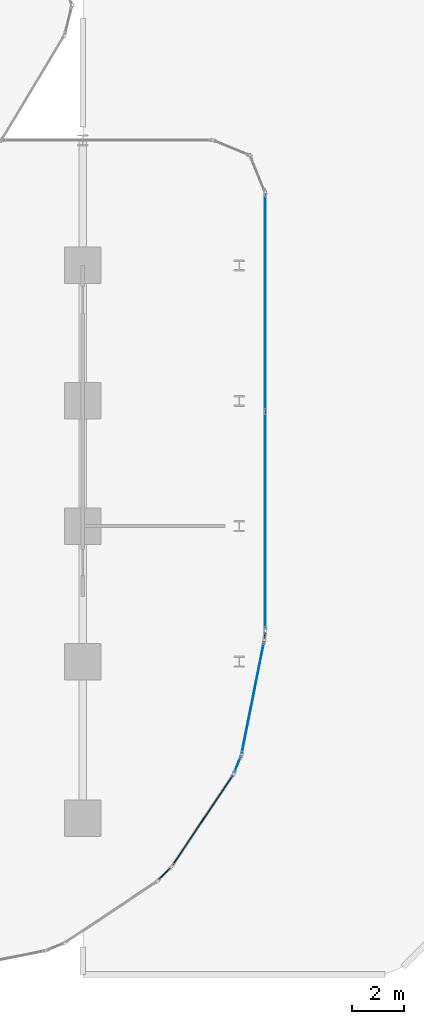
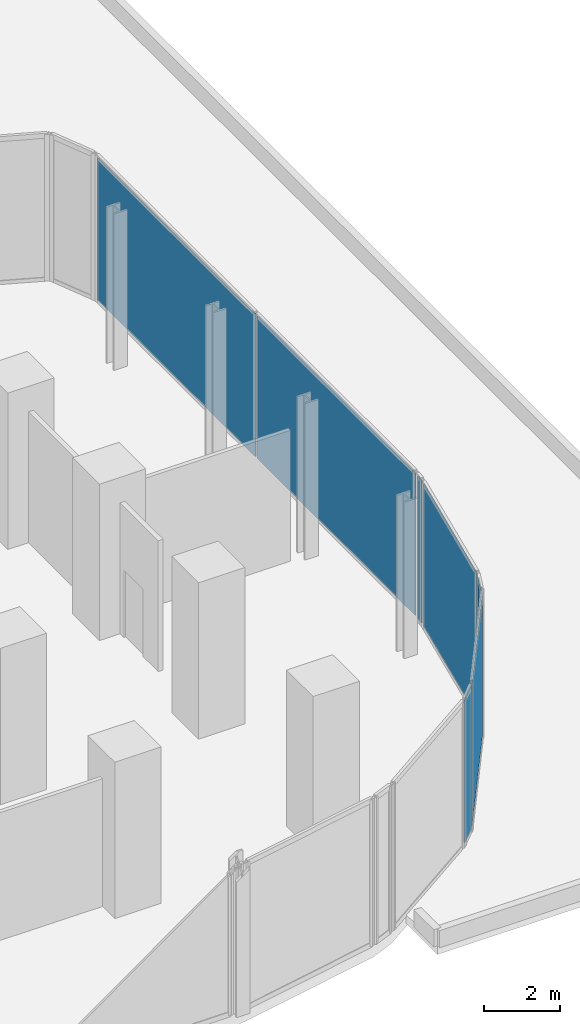
# One storey, part 22 of 29: 7 plates, 6 elements without a shape of their own.
"""IFC4 building model written with IfcOpenShell, lengths in metres."""

import ifcopenshell
import ifcopenshell.guid

model = None  # the IFC model being written
_history = None  # IfcOwnerHistory: only IFC2X3 demands one
_inside = {}  # id of a spatial element -> (the spatial element, [elements in it])
_under = {}  # id of a project, library or spatial element -> (it, [spatial elements below it])
_declared = {}  # id of a project -> (the project, [libraries it declares])
_typed = {}  # id of a type object -> (the type object, [elements of that type])
_made_of = {}  # id of a material, layer set ... -> (it, [elements and type objects made of it])


def new_model(schema):
    """Start an empty IFC model of exactly this schema.

    Asked for "IFC4X3", IfcOpenShell would pick the latest addendum, in which some entities
    have other attributes; the version numbers below select the first issue.
    IFC2X3 requires an IfcOwnerHistory on every rooted entity: one is made here for all.
    """
    global model, _history
    if schema == "IFC4X3":
        model = ifcopenshell.file(schema_version=(4, 3, 0, 0))
    else:
        model = ifcopenshell.file(schema=schema)
    _inside.clear()
    _under.clear()
    _declared.clear()
    _typed.clear()
    _made_of.clear()
    _history = None
    if model.schema == "IFC2X3":
        org = make("IfcOrganization", Name="unknown")
        user = make(
            "IfcPersonAndOrganization",
            ThePerson=make("IfcPerson", FamilyName="unknown"),
            TheOrganization=org,
        )
        app = make(
            "IfcApplication",
            ApplicationDeveloper=org,
            Version="unknown",
            ApplicationFullName="unknown",
            ApplicationIdentifier="unknown",
        )
        _history = make(
            "IfcOwnerHistory",
            OwningUser=user,
            OwningApplication=app,
            ChangeAction="ADDED",
            CreationDate=0,
        )
    return model


def make(cls, **values):
    """One entity of the class cls with the attributes given. An attribute that is None is left unset."""
    return model.create_entity(
        cls, **{name: value for name, value in values.items() if value is not None}
    )


def rooted(cls, **values):
    """An entity with a GlobalId (a new one), such as an element, a storey or a relation."""
    return make(cls, GlobalId=ifcopenshell.guid.new(), OwnerHistory=_history, **values)


def si_unit(unit_type, name, prefix=None):
    """IfcSIUnit, for example si_unit("LENGTHUNIT", "METRE", prefix="MILLI")."""
    return make("IfcSIUnit", UnitType=unit_type, Prefix=prefix, Name=name)


def assignment(units):
    """IfcUnitAssignment: the units of a project."""
    return None if units is None else make("IfcUnitAssignment", Units=units)


def point(xyz):
    """IfcCartesianPoint."""
    return None if xyz is None else make("IfcCartesianPoint", Coordinates=xyz)


def direction(xyz):
    """IfcDirection."""
    return None if xyz is None else make("IfcDirection", DirectionRatios=xyz)


def frame(location, z_axis=None, x_axis=None):
    """IfcAxis2Placement3D, a coordinate frame: its origin and axes. An axis left out is left unset."""
    return make(
        "IfcAxis2Placement3D",
        Location=point(location),
        Axis=direction(z_axis),
        RefDirection=direction(x_axis),
    )


def frame_2d(location, x_axis=None):
    """IfcAxis2Placement2D, a coordinate frame in the plane: its origin and x axis."""
    return make(
        "IfcAxis2Placement2D", Location=point(location), RefDirection=direction(x_axis)
    )


def origin():
    """The frame at (0, 0, 0) with its axes left unset."""
    return frame((0.0, 0.0, 0.0))


def origin_2d():
    """The frame at (0, 0) in the plane with its x axis left unset."""
    return frame_2d((0.0, 0.0))


def place(relative_to, where):
    """IfcLocalPlacement: puts the frame where relative to a parent placement (None: the world)."""
    return make(
        "IfcLocalPlacement", PlacementRelTo=relative_to, RelativePlacement=where
    )


def context(
    kind, dimensions, precision=None, world=None, true_north=None, identifier=None
):
    """IfcGeometricRepresentationContext, for example the 3D "Model" context."""
    return make(
        "IfcGeometricRepresentationContext",
        ContextIdentifier=identifier,
        ContextType=kind,
        CoordinateSpaceDimension=dimensions,
        Precision=precision,
        WorldCoordinateSystem=world,
        TrueNorth=true_north,
    )


def subcontext(parent, identifier, kind, view, scale=None):
    """IfcGeometricRepresentationSubContext, for example "Body" below "Model"."""
    return make(
        "IfcGeometricRepresentationSubContext",
        ContextIdentifier=identifier,
        ContextType=kind,
        ParentContext=parent,
        TargetScale=scale,
        TargetView=view,
    )


def project(units=None, contexts=None):
    """IfcProject with its units and contexts."""
    return rooted(
        "IfcProject",
        Name="project",
        RepresentationContexts=contexts,
        UnitsInContext=assignment(units),
    )


def spatial(cls, under=None, at=None, **own):
    """A site, building, storey or space (cls), placed at a placement, below another one or the project."""
    s = rooted(cls, ObjectPlacement=at, **own)
    if under is not None:
        _under.setdefault(under.id(), (under, []))[1].append(s)
    return s


def profile(cls, at=None, kind="AREA", **sizes):
    """A parametric profile (cls). Its sizes go by their IFC names, for example OverallWidth=200.0."""
    return make(cls, ProfileType=kind, Position=at, **sizes)


def rectangle(**sizes):
    """IfcRectangleProfileDef."""
    return profile("IfcRectangleProfileDef", **sizes)


def extrude(swept, where, along, depth):
    """IfcExtrudedAreaSolid: the profile swept, set in the frame where, extruded along a direction by depth."""
    return make(
        "IfcExtrudedAreaSolid",
        SweptArea=swept,
        Position=where,
        ExtrudedDirection=direction(along),
        Depth=depth,
    )


def shape(context_of_items, identifier, shape_type, items):
    """IfcShapeRepresentation: the items that make up one representation, for example the "Body"."""
    return make(
        "IfcShapeRepresentation",
        ContextOfItems=context_of_items,
        RepresentationIdentifier=identifier,
        RepresentationType=shape_type,
        Items=items,
    )


def material(Name=None, Category=None):
    """IfcMaterial."""
    return make("IfcMaterial", Name=Name, Category=Category)


def layer(
    of_material, thickness, ventilated=None, Name=None, Category=None, Priority=None
):
    """IfcMaterialLayer: one layer of a wall or slab, of a material (None: an air gap)."""
    return make(
        "IfcMaterialLayer",
        Material=of_material,
        LayerThickness=thickness,
        IsVentilated=ventilated,
        Name=Name,
        Category=Category,
        Priority=Priority,
    )


def layer_set(layers, Name=None):
    """IfcMaterialLayerSet."""
    return make("IfcMaterialLayerSet", MaterialLayers=layers, LayerSetName=Name)


def made_of(thing, what):
    """Note that an element or type object is made of a material, layer set ...; save() writes the relation."""
    if what is not None:
        _made_of.setdefault(what.id(), (what, []))[1].append(thing)
    return thing


def type_object(cls, material=None, **own):
    """A type object (cls), such as IfcWallType, which elements share."""
    return made_of(rooted(cls, **own), material)


def element(
    cls,
    number,
    at=None,
    inside=None,
    cuts=None,
    type_object=None,
    material=None,
    context=None,
    identifier="Body",
    shape_type=None,
    held_by="IfcProductDefinitionShape",
    body=None,
    shapes=None,
    **own,
):
    """One element of the class cls, such as IfcWall. Its Tag is "e" and its number.

    at: its placement. inside: the storey or other place that contains it. cuts: it is an
    opening in that element (IfcRelVoidsElement). A single representation is given by context,
    identifier, shape_type and body (its items); several are given by shapes. held_by: the class
    of the entity that holds the representations. save() writes the other relations.
    """
    e = rooted(cls, Tag="e%d" % number, ObjectPlacement=at, **own)
    if body is not None:
        shapes = [shape(context, identifier, shape_type, body)]
    if shapes is not None:
        e.Representation = make(held_by, Representations=shapes)
    if inside is not None:
        _inside.setdefault(inside.id(), (inside, []))[1].append(e)
    if cuts is not None:
        rooted(
            "IfcRelVoidsElement", RelatingBuildingElement=cuts, RelatedOpeningElement=e
        )
    if type_object is not None:
        _typed.setdefault(type_object.id(), (type_object, []))[1].append(e)
    return made_of(e, material)


def aggregate(whole, parts):
    """IfcRelAggregates: a whole, such as a stair, and the parts it consists of."""
    return rooted("IfcRelAggregates", RelatingObject=whole, RelatedObjects=parts)


def save(model, path):
    """Write the relations noted so far, then the file.

    IfcRelAggregates (storeys below a building ...), IfcRelContainedInSpatialStructure (elements
    in a storey), IfcRelDefinesByType, IfcRelAssociatesMaterial and IfcRelDeclares: one each for
    every whole, place, type object, material and project.
    """
    for whole, parts in _under.values():
        aggregate(whole, parts)
    for where, things in _inside.values():
        rooted(
            "IfcRelContainedInSpatialStructure",
            RelatedElements=things,
            RelatingStructure=where,
        )
    for kind, things in _typed.values():
        rooted("IfcRelDefinesByType", RelatedObjects=things, RelatingType=kind)
    for what, things in _made_of.values():
        rooted("IfcRelAssociatesMaterial", RelatedObjects=things, RelatingMaterial=what)
    for by, libraries in _declared.values():
        rooted("IfcRelDeclares", RelatingContext=by, RelatedDefinitions=libraries)
    model.write(path)


model = new_model("IFC4")

# Units and contexts
model_context = context("Model", 3, precision=1e-05, world=origin(), true_north=direction((0.0, 1.0)))
body_context = subcontext(model_context, "Body", "Model", "MODEL_VIEW")
ifc_project = project(units=[si_unit("LENGTHUNIT", "METRE"), si_unit("AREAUNIT", "SQUARE_METRE"), si_unit("VOLUMEUNIT", "CUBIC_METRE"), si_unit("PLANEANGLEUNIT", "RADIAN"), si_unit("MASSUNIT", "GRAM", prefix="KILO")], contexts=[model_context])

# Site, building, storey
site_placement = place(None, origin())
site = spatial("IfcSite", under=ifc_project, at=site_placement, CompositionType="ELEMENT")
building_placement = place(site_placement, origin())
building = spatial("IfcBuilding", under=site, at=building_placement, Name="Keshet Zoharim Tower", CompositionType="ELEMENT")
storey_placement = place(building_placement, frame((0.0, 0.0, 19.0)))
storey = spatial("IfcBuildingStorey", under=building, at=storey_placement, Name="L03", CompositionType="ELEMENT", Elevation=19.0)

# Curtain wall, plate
ifc_material_1 = material(Name="Aluminium 6063-T6", Category="aluminium")
ifc_layer_1 = layer(ifc_material_1, 0.179931640625)
ifc_layer_set_1 = layer_set([ifc_layer_1], Name="Aluminium 6063-T6")
curtain_wall_type_1 = type_object("IfcCurtainWallType", Name="CW-SYS-01", PredefinedType="NOTDEFINED", material=ifc_layer_set_1)
curtain_wall_1_placement = place(storey_placement, origin())
curtain_wall_1 = element("IfcCurtainWall", 1, at=curtain_wall_1_placement, inside=storey, type_object=curtain_wall_type_1, Name="L03 Unitised Curtain Wall 18", PredefinedType="NOTDEFINED")
ifc_material_2 = material(Name="Insulated Low-E Clear Glass", Category="glass")
ifc_layer_2 = layer(ifc_material_2, 0.035888671875)
ifc_layer_set_2 = layer_set([ifc_layer_2], Name="Insulated Low-E Clear Glass")
plate_type_1 = type_object("IfcPlateType", Name="CWP-01", PredefinedType="CURTAIN_PANEL", material=ifc_layer_set_2)
plate_1_placement = place(storey_placement, frame((68.9384765625, 8.75439453125, 0.070068359375), z_axis=(0.0, 0.0, 1.0), x_axis=(-0.383068349739, -0.923720000557, 0.0)))
plate_1 = element("IfcPlate", 2, at=plate_1_placement, type_object=plate_type_1, Name="CW-01 panel 1.1", PredefinedType="CURTAIN_PANEL", context=body_context, shape_type="SweptSolid", body=[
    extrude(rectangle(XDim=0.640625, YDim=0.035888671875, at=origin_2d()), origin(), (0.0, 0.0, 1.0), 4.544921875),
])
aggregate(curtain_wall_1, [plate_1])

curtain_wall_2_placement = place(storey_placement, origin())
curtain_wall_2 = element("IfcCurtainWall", 3, at=curtain_wall_2_placement, inside=storey, type_object=curtain_wall_type_1, Name="L03 Unitised Curtain Wall 19", PredefinedType="NOTDEFINED")
plate_2_placement = place(storey_placement, frame((67.60107421875, 6.615966796875, 0.070068359375), z_axis=(0.0, 0.0, 1.0), x_axis=(-0.555563243758, -0.831474282335, 0.0)))
plate_2 = element("IfcPlate", 4, at=plate_2_placement, type_object=plate_type_1, Name="CW-01 panel 1.1", PredefinedType="CURTAIN_PANEL", context=body_context, shape_type="SweptSolid", body=[
    extrude(rectangle(XDim=4.13671875, YDim=0.035888671875, at=origin_2d()), origin(), (0.0, 0.0, 1.0), 4.544921875),
])
aggregate(curtain_wall_2, [plate_2])

curtain_wall_3_placement = place(storey_placement, origin())
curtain_wall_3 = element("IfcCurtainWall", 5, at=curtain_wall_3_placement, inside=storey, type_object=curtain_wall_type_1, Name="L03 Unitised Curtain Wall 20", PredefinedType="NOTDEFINED")
plate_3_placement = place(storey_placement, frame((66.137451171875, 4.5625, 0.070068359375), z_axis=(0.0, 0.0, 1.0), x_axis=(-0.707106781187, -0.707106781187, 0.0)))
plate_3 = element("IfcPlate", 6, at=plate_3_placement, type_object=plate_type_1, Name="CW-01 panel 1.1", PredefinedType="CURTAIN_PANEL", context=body_context, shape_type="SweptSolid", body=[
    extrude(rectangle(XDim=0.63916015625, YDim=0.035888671875, at=origin_2d()), origin(), (0.0, 0.0, 1.0), 4.544921875),
])
aggregate(curtain_wall_3, [plate_3])

# Curtain wall, plates
ifc_layer_3 = layer(ifc_material_1, 0.169921875)
ifc_layer_set_3 = layer_set([ifc_layer_3], Name="Aluminium 6063-T6")
curtain_wall_type_2 = type_object("IfcCurtainWallType", Name="CW-SYS-02", PredefinedType="NOTDEFINED", material=ifc_layer_set_3)
curtain_wall_4_placement = place(storey_placement, origin())
curtain_wall_4 = element("IfcCurtainWall", 7, at=curtain_wall_4_placement, inside=storey, type_object=curtain_wall_type_2, Name="L03 Unitised Curtain Wall 15", PredefinedType="NOTDEFINED")
ifc_layer_4 = layer(ifc_material_2, 0.031982421875)
ifc_layer_set_4 = layer_set([ifc_layer_4], Name="Insulated Low-E Clear Glass")
plate_type_2 = type_object("IfcPlateType", Name="CWP-02", PredefinedType="CURTAIN_PANEL", material=ifc_layer_set_4)
plate_4_placement = place(storey_placement, frame((70.0, 26.481689453125, 0.070068359375), z_axis=(0.0, 0.0, 1.0), x_axis=(0.0, -1.0, 0.0)))
plate_4 = element("IfcPlate", 8, at=plate_4_placement, type_object=plate_type_2, Name="CW-02 panel 1.1", PredefinedType="CURTAIN_PANEL", context=body_context, shape_type="SweptSolid", body=[
    extrude(rectangle(XDim=8.29638671875, YDim=0.031982421875, at=origin_2d()), origin(), (0.0, 0.0, 1.0), 4.544921875),
])
plate_5_placement = place(storey_placement, frame((70.0, 18.115234375, 0.070068359375), z_axis=(0.0, 0.0, 1.0), x_axis=(0.0, -1.0, 0.0)))
plate_5 = element("IfcPlate", 9, at=plate_5_placement, type_object=plate_type_2, Name="CW-02 panel 2.1", PredefinedType="CURTAIN_PANEL", context=body_context, shape_type="SweptSolid", body=[
    extrude(rectangle(XDim=8.29638671875, YDim=0.031982421875, at=origin_2d()), origin(), (0.0, 0.0, 1.0), 4.544921875),
])
aggregate(curtain_wall_4, [plate_4, plate_5])

# Curtain wall, plate
curtain_wall_5_placement = place(storey_placement, origin())
curtain_wall_5 = element("IfcCurtainWall", 10, at=curtain_wall_5_placement, inside=storey, type_object=curtain_wall_type_2, Name="L03 Unitised Curtain Wall 16", PredefinedType="NOTDEFINED")
plate_6_placement = place(storey_placement, frame((69.98095703125, 13.701904296875, 0.070068359375), z_axis=(0.0, 0.0, 1.0), x_axis=(-0.096976648633, -0.995286657009, 0.0)))
plate_6 = element("IfcPlate", 11, at=plate_6_placement, type_object=plate_type_2, Name="CW-02 panel 1.1", PredefinedType="CURTAIN_PANEL", context=body_context, shape_type="SweptSolid", body=[
    extrude(rectangle(XDim=0.251953125, YDim=0.031982421875, at=origin_2d()), origin(), (0.0, 0.0, 1.0), 4.544921875),
])
aggregate(curtain_wall_5, [plate_6])

curtain_wall_6_placement = place(storey_placement, origin())
curtain_wall_6 = element("IfcCurtainWall", 12, at=curtain_wall_6_placement, inside=storey, type_object=curtain_wall_type_2, Name="L03 Unitised Curtain Wall 17", PredefinedType="NOTDEFINED")
plate_7_placement = place(storey_placement, frame((69.52490234375, 11.31103515625, 0.070068359375), z_axis=(0.0, 0.0, 1.0), x_axis=(-0.195171279072, -0.98076917357, 0.0)))
plate_7 = element("IfcPlate", 13, at=plate_7_placement, type_object=plate_type_2, Name="CW-02 panel 1.1", PredefinedType="CURTAIN_PANEL", context=body_context, shape_type="SweptSolid", body=[
    extrude(rectangle(XDim=4.338134765625, YDim=0.031982421875, at=origin_2d()), origin(), (0.0, 0.0, 1.0), 4.544921875),
])
aggregate(curtain_wall_6, [plate_7])

save(model, "model.ifc")
